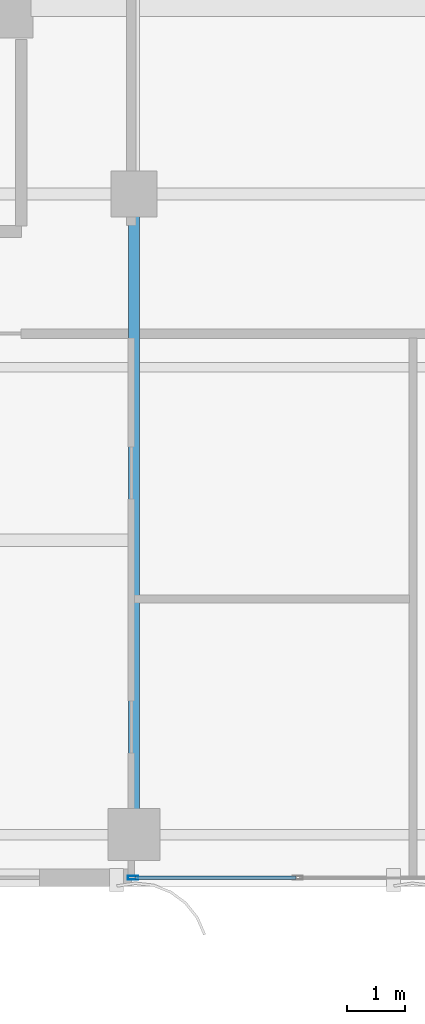
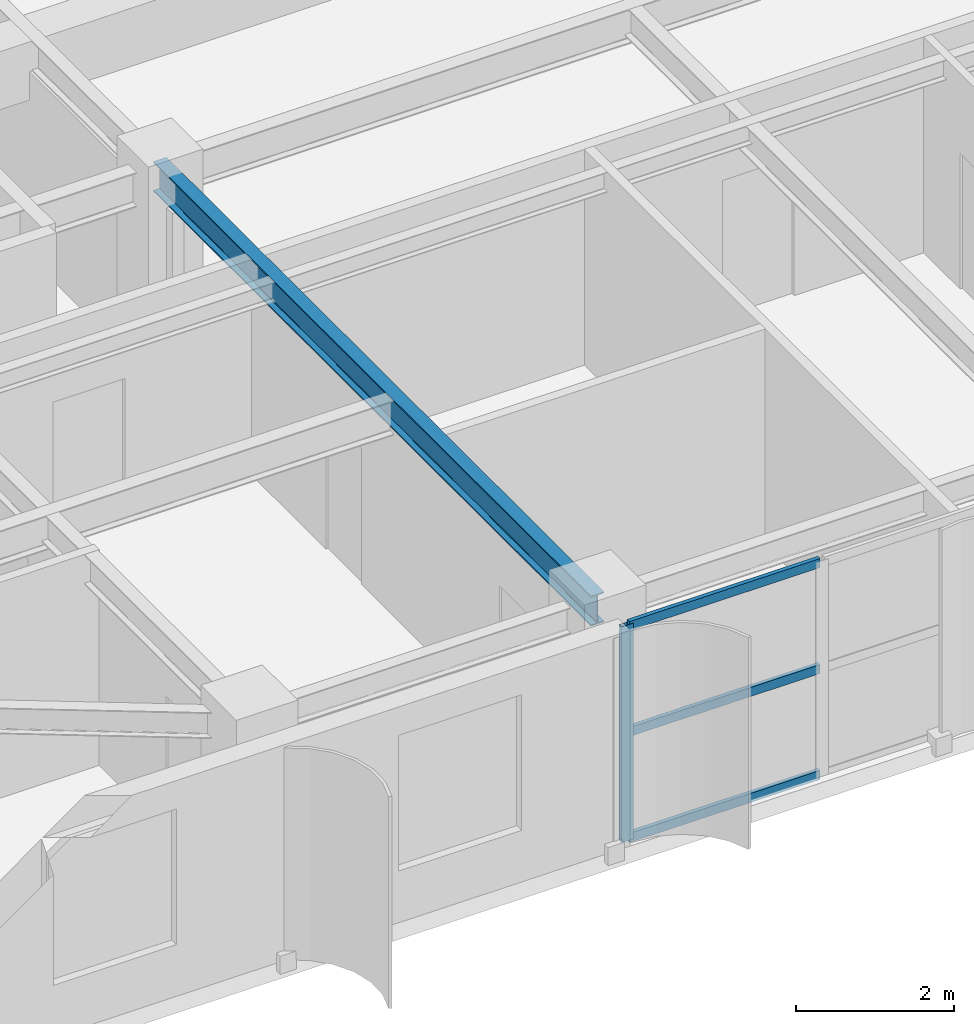
# One storey, part 2 of 25: 4 members, 1 beam, 1 element without a shape of its own.
"""IFC4 building model written with IfcOpenShell, lengths in metres."""

import ifcopenshell
import ifcopenshell.guid

model = None  # the IFC model being written
_history = None  # IfcOwnerHistory: only IFC2X3 demands one
_inside = {}  # id of a spatial element -> (the spatial element, [elements in it])
_under = {}  # id of a project, library or spatial element -> (it, [spatial elements below it])
_declared = {}  # id of a project -> (the project, [libraries it declares])
_typed = {}  # id of a type object -> (the type object, [elements of that type])
_made_of = {}  # id of a material, layer set ... -> (it, [elements and type objects made of it])


def new_model(schema):
    """Start an empty IFC model of exactly this schema.

    Asked for "IFC4X3", IfcOpenShell would pick the latest addendum, in which some entities
    have other attributes; the version numbers below select the first issue.
    IFC2X3 requires an IfcOwnerHistory on every rooted entity: one is made here for all.
    """
    global model, _history
    if schema == "IFC4X3":
        model = ifcopenshell.file(schema_version=(4, 3, 0, 0))
    else:
        model = ifcopenshell.file(schema=schema)
    _inside.clear()
    _under.clear()
    _declared.clear()
    _typed.clear()
    _made_of.clear()
    _history = None
    if model.schema == "IFC2X3":
        org = make("IfcOrganization", Name="unknown")
        user = make(
            "IfcPersonAndOrganization",
            ThePerson=make("IfcPerson", FamilyName="unknown"),
            TheOrganization=org,
        )
        app = make(
            "IfcApplication",
            ApplicationDeveloper=org,
            Version="unknown",
            ApplicationFullName="unknown",
            ApplicationIdentifier="unknown",
        )
        _history = make(
            "IfcOwnerHistory",
            OwningUser=user,
            OwningApplication=app,
            ChangeAction="ADDED",
            CreationDate=0,
        )
    return model


def make(cls, **values):
    """One entity of the class cls with the attributes given. An attribute that is None is left unset."""
    return model.create_entity(
        cls, **{name: value for name, value in values.items() if value is not None}
    )


def rooted(cls, **values):
    """An entity with a GlobalId (a new one), such as an element, a storey or a relation."""
    return make(cls, GlobalId=ifcopenshell.guid.new(), OwnerHistory=_history, **values)


def si_unit(unit_type, name, prefix=None):
    """IfcSIUnit, for example si_unit("LENGTHUNIT", "METRE", prefix="MILLI")."""
    return make("IfcSIUnit", UnitType=unit_type, Prefix=prefix, Name=name)


def assignment(units):
    """IfcUnitAssignment: the units of a project."""
    return None if units is None else make("IfcUnitAssignment", Units=units)


def point(xyz):
    """IfcCartesianPoint."""
    return None if xyz is None else make("IfcCartesianPoint", Coordinates=xyz)


def direction(xyz):
    """IfcDirection."""
    return None if xyz is None else make("IfcDirection", DirectionRatios=xyz)


def frame(location, z_axis=None, x_axis=None):
    """IfcAxis2Placement3D, a coordinate frame: its origin and axes. An axis left out is left unset."""
    return make(
        "IfcAxis2Placement3D",
        Location=point(location),
        Axis=direction(z_axis),
        RefDirection=direction(x_axis),
    )


def frame_2d(location, x_axis=None):
    """IfcAxis2Placement2D, a coordinate frame in the plane: its origin and x axis."""
    return make(
        "IfcAxis2Placement2D", Location=point(location), RefDirection=direction(x_axis)
    )


def origin():
    """The frame at (0, 0, 0) with its axes left unset."""
    return frame((0.0, 0.0, 0.0))


def origin_2d():
    """The frame at (0, 0) in the plane with its x axis left unset."""
    return frame_2d((0.0, 0.0))


def place(relative_to, where):
    """IfcLocalPlacement: puts the frame where relative to a parent placement (None: the world)."""
    return make(
        "IfcLocalPlacement", PlacementRelTo=relative_to, RelativePlacement=where
    )


def context(
    kind, dimensions, precision=None, world=None, true_north=None, identifier=None
):
    """IfcGeometricRepresentationContext, for example the 3D "Model" context."""
    return make(
        "IfcGeometricRepresentationContext",
        ContextIdentifier=identifier,
        ContextType=kind,
        CoordinateSpaceDimension=dimensions,
        Precision=precision,
        WorldCoordinateSystem=world,
        TrueNorth=true_north,
    )


def subcontext(parent, identifier, kind, view, scale=None):
    """IfcGeometricRepresentationSubContext, for example "Body" below "Model"."""
    return make(
        "IfcGeometricRepresentationSubContext",
        ContextIdentifier=identifier,
        ContextType=kind,
        ParentContext=parent,
        TargetScale=scale,
        TargetView=view,
    )


def project(units=None, contexts=None):
    """IfcProject with its units and contexts."""
    return rooted(
        "IfcProject",
        Name="project",
        RepresentationContexts=contexts,
        UnitsInContext=assignment(units),
    )


def spatial(cls, under=None, at=None, **own):
    """A site, building, storey or space (cls), placed at a placement, below another one or the project."""
    s = rooted(cls, ObjectPlacement=at, **own)
    if under is not None:
        _under.setdefault(under.id(), (under, []))[1].append(s)
    return s


def profile(cls, at=None, kind="AREA", **sizes):
    """A parametric profile (cls). Its sizes go by their IFC names, for example OverallWidth=200.0."""
    return make(cls, ProfileType=kind, Position=at, **sizes)


def hollow_rectangle(**sizes):
    """IfcRectangleHollowProfileDef."""
    return profile("IfcRectangleHollowProfileDef", **sizes)


def i_section(**sizes):
    """IfcIShapeProfileDef."""
    return profile("IfcIShapeProfileDef", **sizes)


def extrude(swept, where, along, depth):
    """IfcExtrudedAreaSolid: the profile swept, set in the frame where, extruded along a direction by depth."""
    return make(
        "IfcExtrudedAreaSolid",
        SweptArea=swept,
        Position=where,
        ExtrudedDirection=direction(along),
        Depth=depth,
    )


def shape(context_of_items, identifier, shape_type, items):
    """IfcShapeRepresentation: the items that make up one representation, for example the "Body"."""
    return make(
        "IfcShapeRepresentation",
        ContextOfItems=context_of_items,
        RepresentationIdentifier=identifier,
        RepresentationType=shape_type,
        Items=items,
    )


def source(mapping_origin, context_of_items, identifier, shape_type, items):
    """IfcRepresentationMap: a shape defined once, which mapped items show again and again."""
    return make(
        "IfcRepresentationMap",
        MappingOrigin=mapping_origin,
        MappedRepresentation=shape(context_of_items, identifier, shape_type, items),
    )


def transform(
    local_origin,
    x_axis=None,
    y_axis=None,
    z_axis=None,
    scale=None,
    scale2=None,
    scale3=None,
    uniform=True,
):
    """IfcCartesianTransformationOperator3D, or its non-uniform kind. x_axis, y_axis, z_axis: its Axis1, 2, 3."""
    if uniform:
        return make(
            "IfcCartesianTransformationOperator3D",
            Axis1=direction(x_axis),
            Axis2=direction(y_axis),
            LocalOrigin=point(local_origin),
            Scale=scale,
            Axis3=direction(z_axis),
        )
    return make(
        "IfcCartesianTransformationOperator3DnonUniform",
        Axis1=direction(x_axis),
        Axis2=direction(y_axis),
        LocalOrigin=point(local_origin),
        Scale=scale,
        Axis3=direction(z_axis),
        Scale2=scale2,
        Scale3=scale3,
    )


def mapped(mapping_source, mapping_target):
    """IfcMappedItem: shows the shape of a source again, moved by a transform."""
    return make(
        "IfcMappedItem", MappingSource=mapping_source, MappingTarget=mapping_target
    )


def material(Name=None, Category=None):
    """IfcMaterial."""
    return make("IfcMaterial", Name=Name, Category=Category)


def layer(
    of_material, thickness, ventilated=None, Name=None, Category=None, Priority=None
):
    """IfcMaterialLayer: one layer of a wall or slab, of a material (None: an air gap)."""
    return make(
        "IfcMaterialLayer",
        Material=of_material,
        LayerThickness=thickness,
        IsVentilated=ventilated,
        Name=Name,
        Category=Category,
        Priority=Priority,
    )


def layer_set(layers, Name=None):
    """IfcMaterialLayerSet."""
    return make("IfcMaterialLayerSet", MaterialLayers=layers, LayerSetName=Name)


def material_profile(
    of_material, cross_section, Name=None, Category=None, Priority=None
):
    """IfcMaterialProfile: a cross section and its material."""
    return make(
        "IfcMaterialProfile",
        Name=Name,
        Material=of_material,
        Profile=cross_section,
        Priority=Priority,
        Category=Category,
    )


def profile_set(profiles, Name=None, composite=None):
    """IfcMaterialProfileSet."""
    return make(
        "IfcMaterialProfileSet",
        Name=Name,
        MaterialProfiles=profiles,
        CompositeProfile=composite,
    )


def made_of(thing, what):
    """Note that an element or type object is made of a material, layer set ...; save() writes the relation."""
    if what is not None:
        _made_of.setdefault(what.id(), (what, []))[1].append(thing)
    return thing


def type_object(cls, material=None, **own):
    """A type object (cls), such as IfcWallType, which elements share."""
    return made_of(rooted(cls, **own), material)


def element(
    cls,
    number,
    at=None,
    inside=None,
    cuts=None,
    type_object=None,
    material=None,
    context=None,
    identifier="Body",
    shape_type=None,
    held_by="IfcProductDefinitionShape",
    body=None,
    shapes=None,
    **own,
):
    """One element of the class cls, such as IfcWall. Its Tag is "e" and its number.

    at: its placement. inside: the storey or other place that contains it. cuts: it is an
    opening in that element (IfcRelVoidsElement). A single representation is given by context,
    identifier, shape_type and body (its items); several are given by shapes. held_by: the class
    of the entity that holds the representations. save() writes the other relations.
    """
    e = rooted(cls, Tag="e%d" % number, ObjectPlacement=at, **own)
    if body is not None:
        shapes = [shape(context, identifier, shape_type, body)]
    if shapes is not None:
        e.Representation = make(held_by, Representations=shapes)
    if inside is not None:
        _inside.setdefault(inside.id(), (inside, []))[1].append(e)
    if cuts is not None:
        rooted(
            "IfcRelVoidsElement", RelatingBuildingElement=cuts, RelatedOpeningElement=e
        )
    if type_object is not None:
        _typed.setdefault(type_object.id(), (type_object, []))[1].append(e)
    return made_of(e, material)


def aggregate(whole, parts):
    """IfcRelAggregates: a whole, such as a stair, and the parts it consists of."""
    return rooted("IfcRelAggregates", RelatingObject=whole, RelatedObjects=parts)


def save(model, path):
    """Write the relations noted so far, then the file.

    IfcRelAggregates (storeys below a building ...), IfcRelContainedInSpatialStructure (elements
    in a storey), IfcRelDefinesByType, IfcRelAssociatesMaterial and IfcRelDeclares: one each for
    every whole, place, type object, material and project.
    """
    for whole, parts in _under.values():
        aggregate(whole, parts)
    for where, things in _inside.values():
        rooted(
            "IfcRelContainedInSpatialStructure",
            RelatedElements=things,
            RelatingStructure=where,
        )
    for kind, things in _typed.values():
        rooted("IfcRelDefinesByType", RelatedObjects=things, RelatingType=kind)
    for what, things in _made_of.values():
        rooted("IfcRelAssociatesMaterial", RelatedObjects=things, RelatingMaterial=what)
    for by, libraries in _declared.values():
        rooted("IfcRelDeclares", RelatingContext=by, RelatedDefinitions=libraries)
    model.write(path)


model = new_model("IFC4")

# Units and contexts
model_context = context("Model", 3, precision=1e-05, world=origin(), true_north=direction((0.0, 1.0)))
body_context = subcontext(model_context, "Body", "Model", "MODEL_VIEW")
ifc_project = project(units=[si_unit("LENGTHUNIT", "METRE"), si_unit("AREAUNIT", "SQUARE_METRE"), si_unit("VOLUMEUNIT", "CUBIC_METRE"), si_unit("PLANEANGLEUNIT", "RADIAN"), si_unit("MASSUNIT", "GRAM", prefix="KILO")], contexts=[model_context])

# Site, building, storey
site_placement = place(None, origin())
site = spatial("IfcSite", under=ifc_project, at=site_placement, CompositionType="ELEMENT")
building_placement = place(site_placement, origin())
building = spatial("IfcBuilding", under=site, at=building_placement, Name="Khoralis Quay Care Tower", CompositionType="ELEMENT")
storey_placement = place(building_placement, frame((0.0, 0.0, 166.5)))
storey = spatial("IfcBuildingStorey", under=building, at=storey_placement, Name="L43", CompositionType="ELEMENT", Elevation=166.5)

# Beam
ifc_material_1 = material(Name="Steel S355", Category="steel")
ifc_material_profile_1 = material_profile(ifc_material_1, i_section(OverallWidth=0.19189453125, OverallDepth=0.462890625, WebThickness=0.010498046875, FlangeThickness=0.017578125, FilletRadius=0.014892578125, at=origin_2d()), Name="Steel S355")
ifc_profile_set_1 = profile_set([ifc_material_profile_1], Name="Steel S355")
beam_type = type_object("IfcBeamType", Name="BM-W460X89", PredefinedType="BEAM", material=ifc_profile_set_1)
shared_shape_1 = source(origin(), body_context, "Body", "SweptSolid", [
    extrude(i_section(OverallWidth=0.19189453125, OverallDepth=0.462890625, WebThickness=0.010498046875, FlangeThickness=0.017578125, FilletRadius=0.014892578125, at=origin_2d()), origin(), (0.0, 0.0, 1.0), 11.10009765625),
])
beam_placement = place(storey_placement, frame((17.10009765625, 0.89990234375, 3.1083984375), z_axis=(0.0, 1.0, 0.0), x_axis=(-1.0, 0.0, 0.0)))
element("IfcBeam", 1, at=beam_placement, inside=storey, type_object=beam_type, Name="BM-TGYS-L43-171", PredefinedType="BEAM", context=body_context, shape_type="MappedRepresentation", body=[
    mapped(shared_shape_1, transform((0.0, 0.0, 0.0), scale=1.0)),
])

# Curtain wall, members
ifc_material_2 = material(Name="Pale anodised aluminium", Category="aluminium")
ifc_layer = layer(ifc_material_2, 0.159912109375)
ifc_layer_set = layer_set([ifc_layer], Name="Pale anodised aluminium")
curtain_wall_type = type_object("IfcCurtainWallType", Name="CW-SYS-Z3", PredefinedType="NOTDEFINED", material=ifc_layer_set)
curtain_wall_placement = place(storey_placement, origin())
curtain_wall = element("IfcCurtainWall", 2, at=curtain_wall_placement, inside=storey, type_object=curtain_wall_type, Name="L43 Unitised Curtain Wall CW-L43-P1-E0", PredefinedType="NOTDEFINED")
ifc_material_profile_2 = material_profile(ifc_material_2, hollow_rectangle(XDim=0.06494140625, YDim=0.179931640625, WallThickness=0.00390625, at=origin_2d()), Name="Pale anodised aluminium")
ifc_profile_set_2 = profile_set([ifc_material_profile_2], Name="Pale anodised aluminium")
member_type_1 = type_object("IfcMemberType", Name="CW-MUL-180", PredefinedType="MULLION", material=ifc_profile_set_2)
shared_shape_2 = source(origin(), body_context, "Body", "SweptSolid", [
    extrude(hollow_rectangle(XDim=0.06494140625, YDim=0.179931640625, WallThickness=0.00390625, at=origin_2d()), origin(), (0.0, 0.0, 1.0), 3.340087890625),
])
member_1_placement = place(storey_placement, frame((17.0869140625, 0.14990234375, 0.0), z_axis=(0.0, 0.0, 1.0), x_axis=(0.0, 1.0, 0.0)))
member_1 = element("IfcMember", 3, at=member_1_placement, type_object=member_type_1, Name="CW3 mullion 1", PredefinedType="MULLION", context=body_context, shape_type="MappedRepresentation", body=[
    mapped(shared_shape_2, transform((0.0, 0.0, 0.0), scale=1.0)),
])
ifc_material_profile_3 = material_profile(ifc_material_2, hollow_rectangle(XDim=0.06005859375, YDim=0.139892578125, WallThickness=0.00390625, at=origin_2d()), Name="Pale anodised aluminium")
ifc_profile_set_3 = profile_set([ifc_material_profile_3], Name="Pale anodised aluminium")
member_type_2 = type_object("IfcMemberType", Name="CW-TRN-140", PredefinedType="USERDEFINED", material=ifc_profile_set_3)
shared_shape_3 = source(origin(), body_context, "Body", "SweptSolid", [
    extrude(hollow_rectangle(XDim=0.06005859375, YDim=0.139892578125, WallThickness=0.00390625, at=origin_2d()), origin(), (0.0, 0.0, 1.0), 2.792724609375),
])
member_2_placement = place(storey_placement, frame((17.116943359375, 0.14990234375, 0.030029296875), z_axis=(1.0, 0.0, 0.0), x_axis=(0.0, 1.0, 0.0)))
member_2 = element("IfcMember", 4, at=member_2_placement, type_object=member_type_2, Name="CW3 transom 1.1", ObjectType="TRANSOM", PredefinedType="USERDEFINED", context=body_context, shape_type="MappedRepresentation", body=[
    mapped(shared_shape_3, transform((0.0, 0.0, 0.0), scale=1.0)),
])
member_3_placement = place(storey_placement, frame((17.116943359375, 0.14990234375, 1.669921875), z_axis=(1.0, 0.0, 0.0), x_axis=(0.0, 1.0, 0.0)))
member_3 = element("IfcMember", 5, at=member_3_placement, type_object=member_type_2, Name="CW3 transom 1.2", ObjectType="TRANSOM", PredefinedType="USERDEFINED", context=body_context, shape_type="MappedRepresentation", body=[
    mapped(shared_shape_3, transform((0.0, 0.0, 0.0), scale=1.0)),
])
member_4_placement = place(storey_placement, frame((17.116943359375, 0.14990234375, 3.31005859375), z_axis=(1.0, 0.0, 0.0), x_axis=(0.0, 1.0, 0.0)))
member_4 = element("IfcMember", 6, at=member_4_placement, type_object=member_type_2, Name="CW3 transom 1.3", ObjectType="TRANSOM", PredefinedType="USERDEFINED", context=body_context, shape_type="MappedRepresentation", body=[
    mapped(shared_shape_3, transform((0.0, 0.0, 0.0), scale=1.0)),
])
aggregate(curtain_wall, [member_1, member_2, member_3, member_4])

save(model, "model.ifc")
